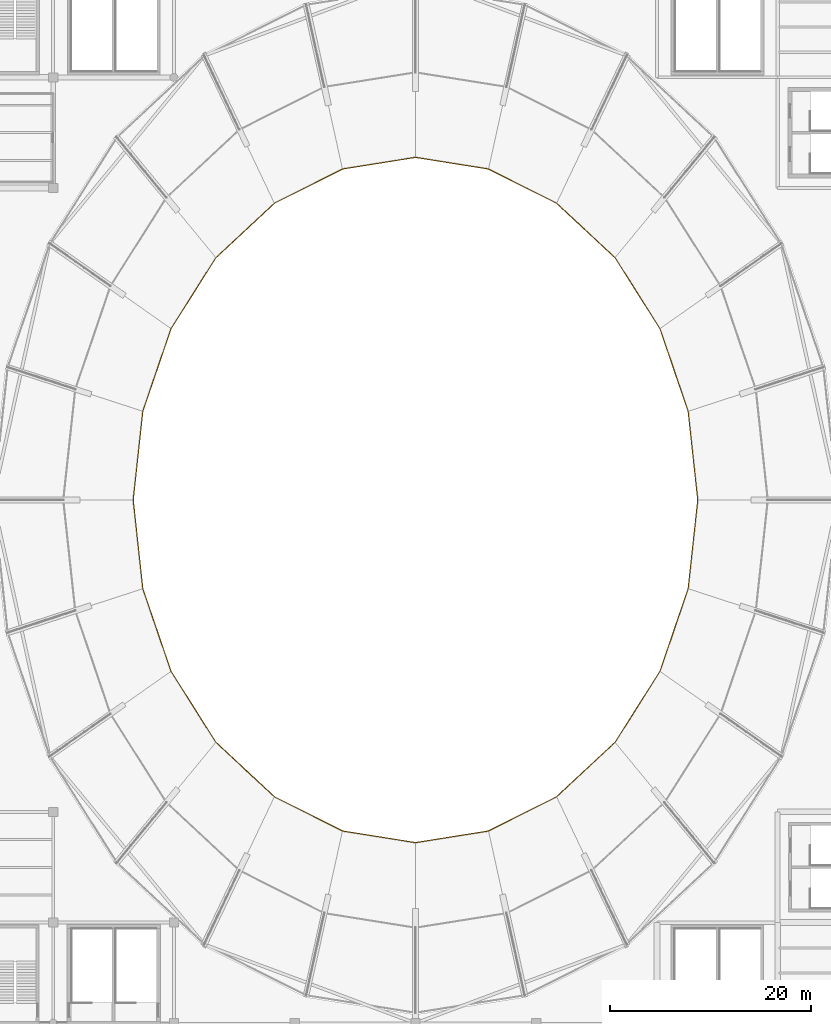
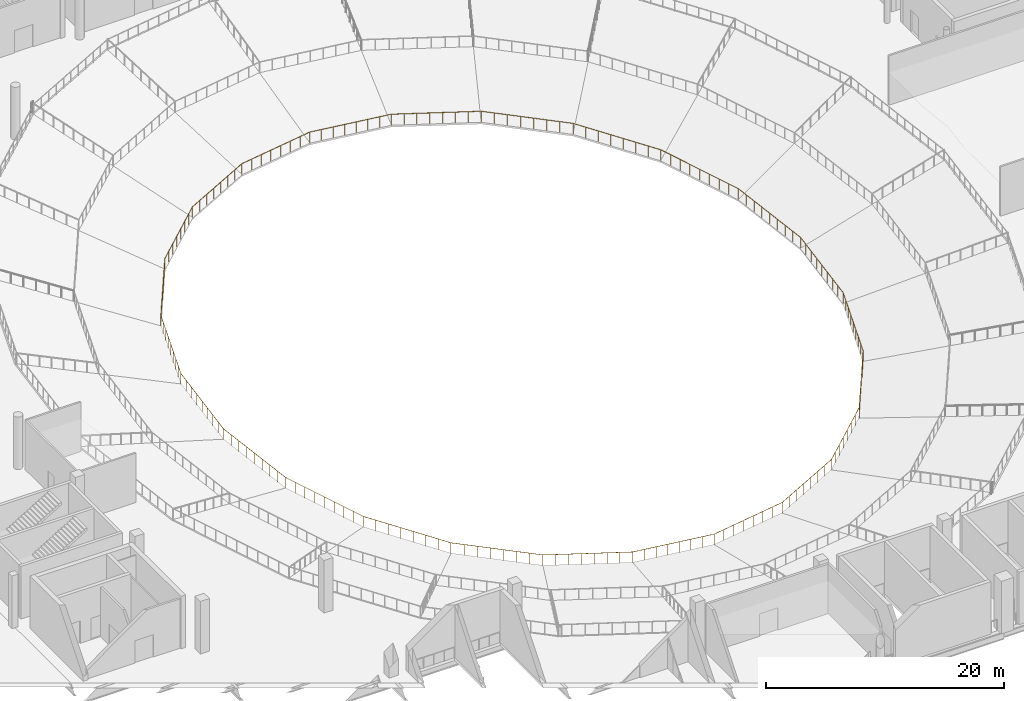
# One storey, part 67 of 74: 1 railing.
"""IFC4 building model written with IfcOpenShell, lengths in metres."""

from ifc_helpers import new_model, si_unit, direction, frame, origin, origin_2d, place, context, subcontext, project, spatial, circle, extrude, material, type_object, element, save


model = new_model("IFC4")

# Units and contexts
model_context = context("Model", 3, precision=1e-05, world=origin(), true_north=direction((0.0, 1.0)))
body_context = subcontext(model_context, "Body", "Model", "MODEL_VIEW")
ifc_project = project(units=[si_unit("LENGTHUNIT", "METRE"), si_unit("AREAUNIT", "SQUARE_METRE"), si_unit("VOLUMEUNIT", "CUBIC_METRE"), si_unit("PLANEANGLEUNIT", "RADIAN"), si_unit("MASSUNIT", "GRAM", prefix="KILO")], contexts=[model_context])

# Site, building, storey
site_placement = place(None, origin())
site = spatial("IfcSite", under=ifc_project, at=site_placement, CompositionType="ELEMENT")
building_placement = place(site_placement, origin())
building = spatial("IfcBuilding", under=site, at=building_placement, Name="Brinegate Civic Arena", CompositionType="ELEMENT")
storey_placement = place(building_placement, frame((0.0, 0.0, 19.199951171875)))
storey = spatial("IfcBuildingStorey", under=building, at=storey_placement, Name="L04", CompositionType="ELEMENT", Elevation=19.199951171875)

# Railing
ifc_material = material(Name="Architectural stainless steel balustrade", Category="steel")
railing_type = type_object("IfcRailingType", Name="RAIL-BOWL-BARRIER-1100", PredefinedType="GUARDRAIL", material=ifc_material)
railing_placement = place(storey_placement, frame((136.050048828125, 62.0, -4.14990234375)))
element("IfcRailing", 1, at=railing_placement, inside=storey, type_object=railing_type, Name="Arena Bowl Sightline Guard UPR-FRONT", PredefinedType="GUARDRAIL", context=body_context, shape_type="SweptSolid", body=[
    extrude(circle(Radius=0.02392578125, at=origin_2d()), frame((-0.000244140625, 0.00146484375, 1.09619140625), z_axis=(-0.107849708906, 0.994167209421, 0.0), x_axis=(-0.994167209421, -0.107849708906, 0.0)), (0.0, 0.0, 1.0), 8.861572265625),
    extrude(circle(Radius=0.02392578125, at=origin_2d()), frame((-0.95654296875, 8.814453125, 1.09619140625), z_axis=(-0.322930575049, 0.946422655952, 0.0), x_axis=(-0.946422655952, -0.322930575049, 0.0)), (0.0, 0.0, 1.0), 8.673828125),
    extrude(circle(Radius=0.02392578125, at=origin_2d()), frame((-3.7587890625, 17.026123046875, 1.09619140625), z_axis=(-0.534345261857, 0.845266313732, 0.0), x_axis=(-0.845266313732, -0.534345261857, 0.0)), (0.0, 0.0, 1.0), 8.33984375),
    extrude(circle(Radius=0.02392578125, at=origin_2d()), frame((-8.217041015625, 24.077880859375, 1.09619140625), z_axis=(-0.731725773, 0.681599144019, 0.0), x_axis=(-0.681599144019, -0.731725773, 0.0)), (0.0, 0.0, 1.0), 7.935791015625),
    extrude(circle(Radius=0.02392578125, at=origin_2d()), frame((-14.0263671875, 29.48876953125, 1.09619140625), z_axis=(-0.893399537902, 0.44926302505, 0.0), x_axis=(-0.44926302505, -0.893399537902, 0.0)), (0.0, 0.0, 1.0), 7.569091796875),
    extrude(circle(Radius=0.02392578125, at=origin_2d()), frame((-20.79150390625, 32.89013671875, 1.09619140625), z_axis=(-0.987471281704, 0.157798820683, 0.0), x_axis=(-0.157798820683, -0.987471281704, 0.0)), (0.0, 0.0, 1.0), 7.34912109375),
    extrude(circle(Radius=0.02392578125, at=origin_2d()), frame((-28.051513671875, 34.0498046875, 1.09619140625), z_axis=(-0.987471281704, -0.157798820683, 0.0), x_axis=(0.157798820683, -0.987471281704, 0.0)), (0.0, 0.0, 1.0), 7.34912109375),
    extrude(circle(Radius=0.02392578125, at=origin_2d()), frame((-35.311279296875, 32.88916015625, 1.09619140625), z_axis=(-0.893399537902, -0.44926302505, 0.0), x_axis=(0.44926302505, -0.893399537902, 0.0)), (0.0, 0.0, 1.0), 7.569091796875),
    extrude(circle(Radius=0.02392578125, at=origin_2d()), frame((-42.075927734375, 29.487060546875, 1.09619140625), z_axis=(-0.731725773, -0.681599144019, 0.0), x_axis=(0.681599144019, -0.731725773, 0.0)), (0.0, 0.0, 1.0), 7.935791015625),
    extrude(circle(Radius=0.02392578125, at=origin_2d()), frame((-47.884765625, 24.07568359375, 1.09619140625), z_axis=(-0.534345261857, -0.845266313732, 0.0), x_axis=(0.845266313732, -0.534345261857, 0.0)), (0.0, 0.0, 1.0), 8.33984375),
    extrude(circle(Radius=0.02392578125, at=origin_2d()), frame((-52.342529296875, 17.0234375, 1.09619140625), z_axis=(-0.322930575049, -0.946422655952, 0.0), x_axis=(0.946422655952, -0.322930575049, 0.0)), (0.0, 0.0, 1.0), 8.673828125),
    extrude(circle(Radius=0.02392578125, at=origin_2d()), frame((-55.144287109375, 8.8115234375, 1.09619140625), z_axis=(-0.107849708906, -0.994167209421, 0.0), x_axis=(0.994167209421, -0.107849708906, 0.0)), (0.0, 0.0, 1.0), 8.861572265625),
    extrude(circle(Radius=0.02392578125, at=origin_2d()), frame((-56.099853515625, -0.00146484375, 1.09619140625), z_axis=(0.107849708906, -0.994167209421, 0.0), x_axis=(0.994167209421, 0.107849708906, 0.0)), (0.0, 0.0, 1.0), 8.861572265625),
    extrude(circle(Radius=0.02392578125, at=origin_2d()), frame((-55.1435546875, -8.814453125, 1.09619140625), z_axis=(0.322930575049, -0.946422655952, 0.0), x_axis=(0.946422655952, 0.322930575049, 0.0)), (0.0, 0.0, 1.0), 8.673828125),
    extrude(circle(Radius=0.02392578125, at=origin_2d()), frame((-52.34130859375, -17.026123046875, 1.09619140625), z_axis=(0.534345261857, -0.845266313732, 0.0), x_axis=(0.845266313732, 0.534345261857, 0.0)), (0.0, 0.0, 1.0), 8.33984375),
    extrude(circle(Radius=0.02392578125, at=origin_2d()), frame((-47.883056640625, -24.077880859375, 1.09619140625), z_axis=(0.731725773, -0.681599144019, 0.0), x_axis=(0.681599144019, 0.731725773, 0.0)), (0.0, 0.0, 1.0), 7.935791015625),
    extrude(circle(Radius=0.02392578125, at=origin_2d()), frame((-42.07373046875, -29.48876953125, 1.09619140625), z_axis=(0.893399537902, -0.44926302505, 0.0), x_axis=(0.44926302505, 0.893399537902, 0.0)), (0.0, 0.0, 1.0), 7.569091796875),
    extrude(circle(Radius=0.02392578125, at=origin_2d()), frame((-35.30859375, -32.89013671875, 1.09619140625), z_axis=(0.987471281704, -0.157798820683, 0.0), x_axis=(0.157798820683, 0.987471281704, 0.0)), (0.0, 0.0, 1.0), 7.34912109375),
    extrude(circle(Radius=0.02392578125, at=origin_2d()), frame((-28.048583984375, -34.0498046875, 1.09619140625), z_axis=(0.987471281704, 0.157798820683, 0.0), x_axis=(-0.157798820683, 0.987471281704, 0.0)), (0.0, 0.0, 1.0), 7.34912109375),
    extrude(circle(Radius=0.02392578125, at=origin_2d()), frame((-20.788818359375, -32.88916015625, 1.09619140625), z_axis=(0.893399537902, 0.44926302505, 0.0), x_axis=(-0.44926302505, 0.893399537902, 0.0)), (0.0, 0.0, 1.0), 7.569091796875),
    extrude(circle(Radius=0.02392578125, at=origin_2d()), frame((-14.024169921875, -29.487060546875, 1.09619140625), z_axis=(0.731725773, 0.681599144019, 0.0), x_axis=(-0.681599144019, 0.731725773, 0.0)), (0.0, 0.0, 1.0), 7.935791015625),
    extrude(circle(Radius=0.02392578125, at=origin_2d()), frame((-8.21533203125, -24.07568359375, 1.09619140625), z_axis=(0.534345261857, 0.845266313732, 0.0), x_axis=(-0.845266313732, 0.534345261857, 0.0)), (0.0, 0.0, 1.0), 8.33984375),
    extrude(circle(Radius=0.02392578125, at=origin_2d()), frame((-3.757568359375, -17.0234375, 1.09619140625), z_axis=(0.322930575049, 0.946422655952, 0.0), x_axis=(-0.946422655952, 0.322930575049, 0.0)), (0.0, 0.0, 1.0), 8.673828125),
    extrude(circle(Radius=0.02392578125, at=origin_2d()), frame((-0.955810546875, -8.8115234375, 1.09619140625), z_axis=(0.107849708906, 0.994167209421, 0.0), x_axis=(-0.994167209421, 0.107849708906, 0.0)), (0.0, 0.0, 1.0), 8.861572265625),
    extrude(circle(Radius=0.02099609375, at=origin_2d()), origin(), (0.0, 0.0, 1.0), 1.070068359375),
    extrude(circle(Radius=0.02099609375, at=origin_2d()), frame((-0.11962890625, 1.1015625, 0.0)), (0.0, 0.0, 1.0), 1.070068359375),
    extrude(circle(Radius=0.02099609375, at=origin_2d()), frame((-0.239013671875, 2.203125, 0.0)), (0.0, 0.0, 1.0), 1.070068359375),
    extrude(circle(Radius=0.02099609375, at=origin_2d()), frame((-0.3583984375, 3.304931640625, 0.0)), (0.0, 0.0, 1.0), 1.070068359375),
    extrude(circle(Radius=0.02099609375, at=origin_2d()), frame((-0.47802734375, 4.406494140625, 0.0)), (0.0, 0.0, 1.0), 1.070068359375),
    extrude(circle(Radius=0.02099609375, at=origin_2d()), frame((-0.59765625, 5.508056640625, 0.0)), (0.0, 0.0, 1.0), 1.070068359375),
    extrude(circle(Radius=0.02099609375, at=origin_2d()), frame((-0.717041015625, 6.60986328125, 0.0)), (0.0, 0.0, 1.0), 1.070068359375),
    extrude(circle(Radius=0.02099609375, at=origin_2d()), frame((-0.83642578125, 7.71142578125, 0.0)), (0.0, 0.0, 1.0), 1.070068359375),
    extrude(circle(Radius=0.02099609375, at=origin_2d()), frame((-0.9560546875, 8.81298828125, 0.0)), (0.0, 0.0, 1.0), 1.070068359375),
    extrude(circle(Radius=0.02099609375, at=origin_2d()), frame((-1.306396484375, 9.83935546875, 0.0)), (0.0, 0.0, 1.0), 1.070068359375),
    extrude(circle(Radius=0.02099609375, at=origin_2d()), frame((-1.656494140625, 10.865966796875, 0.0)), (0.0, 0.0, 1.0), 1.070068359375),
    extrude(circle(Radius=0.02099609375, at=origin_2d()), frame((-2.0068359375, 11.892578125, 0.0)), (0.0, 0.0, 1.0), 1.070068359375),
    extrude(circle(Radius=0.02099609375, at=origin_2d()), frame((-2.35693359375, 12.9189453125, 0.0)), (0.0, 0.0, 1.0), 1.070068359375),
    extrude(circle(Radius=0.02099609375, at=origin_2d()), frame((-2.707275390625, 13.9453125, 0.0)), (0.0, 0.0, 1.0), 1.070068359375),
    extrude(circle(Radius=0.02099609375, at=origin_2d()), frame((-3.0576171875, 14.971923828125, 0.0)), (0.0, 0.0, 1.0), 1.070068359375),
    extrude(circle(Radius=0.02099609375, at=origin_2d()), frame((-3.40771484375, 15.99853515625, 0.0)), (0.0, 0.0, 1.0), 1.070068359375),
    extrude(circle(Radius=0.02099609375, at=origin_2d()), frame((-3.758056640625, 17.02490234375, 0.0)), (0.0, 0.0, 1.0), 1.070068359375),
    extrude(circle(Radius=0.02099609375, at=origin_2d()), frame((-4.39501953125, 18.0322265625, 0.0)), (0.0, 0.0, 1.0), 1.070068359375),
    extrude(circle(Radius=0.02099609375, at=origin_2d()), frame((-5.03173828125, 19.039794921875, 0.0)), (0.0, 0.0, 1.0), 1.070068359375),
    extrude(circle(Radius=0.02099609375, at=origin_2d()), frame((-5.668701171875, 20.047119140625, 0.0)), (0.0, 0.0, 1.0), 1.070068359375),
    extrude(circle(Radius=0.02099609375, at=origin_2d()), frame((-6.305419921875, 21.0546875, 0.0)), (0.0, 0.0, 1.0), 1.070068359375),
    extrude(circle(Radius=0.02099609375, at=origin_2d()), frame((-6.9423828125, 22.06201171875, 0.0)), (0.0, 0.0, 1.0), 1.070068359375),
    extrude(circle(Radius=0.02099609375, at=origin_2d()), frame((-7.5791015625, 23.069580078125, 0.0)), (0.0, 0.0, 1.0), 1.070068359375),
    extrude(circle(Radius=0.02099609375, at=origin_2d()), frame((-8.216064453125, 24.076904296875, 0.0)), (0.0, 0.0, 1.0), 1.070068359375),
    extrude(circle(Radius=0.02099609375, at=origin_2d()), frame((-9.0458984375, 24.849853515625, 0.0)), (0.0, 0.0, 1.0), 1.070068359375),
    extrude(circle(Radius=0.02099609375, at=origin_2d()), frame((-9.875732421875, 25.623046875, 0.0)), (0.0, 0.0, 1.0), 1.070068359375),
    extrude(circle(Radius=0.02099609375, at=origin_2d()), frame((-10.70556640625, 26.39599609375, 0.0)), (0.0, 0.0, 1.0), 1.070068359375),
    extrude(circle(Radius=0.02099609375, at=origin_2d()), frame((-11.53564453125, 27.1689453125, 0.0)), (0.0, 0.0, 1.0), 1.070068359375),
    extrude(circle(Radius=0.02099609375, at=origin_2d()), frame((-12.365478515625, 27.94189453125, 0.0)), (0.0, 0.0, 1.0), 1.070068359375),
    extrude(circle(Radius=0.02099609375, at=origin_2d()), frame((-13.1953125, 28.715087890625, 0.0)), (0.0, 0.0, 1.0), 1.070068359375),
    extrude(circle(Radius=0.02099609375, at=origin_2d()), frame((-14.025146484375, 29.488037109375, 0.0)), (0.0, 0.0, 1.0), 1.070068359375),
    extrude(circle(Radius=0.02099609375, at=origin_2d()), frame((-14.991455078125, 29.97412109375, 0.0)), (0.0, 0.0, 1.0), 1.070068359375),
    extrude(circle(Radius=0.02099609375, at=origin_2d()), frame((-15.9580078125, 30.4599609375, 0.0)), (0.0, 0.0, 1.0), 1.070068359375),
    extrude(circle(Radius=0.02099609375, at=origin_2d()), frame((-16.92431640625, 30.946044921875, 0.0)), (0.0, 0.0, 1.0), 1.070068359375),
    extrude(circle(Radius=0.02099609375, at=origin_2d()), frame((-17.890869140625, 31.431884765625, 0.0)), (0.0, 0.0, 1.0), 1.070068359375),
    extrude(circle(Radius=0.02099609375, at=origin_2d()), frame((-18.857177734375, 31.91796875, 0.0)), (0.0, 0.0, 1.0), 1.070068359375),
    extrude(circle(Radius=0.02099609375, at=origin_2d()), frame((-19.82373046875, 32.40380859375, 0.0)), (0.0, 0.0, 1.0), 1.070068359375),
    extrude(circle(Radius=0.02099609375, at=origin_2d()), frame((-20.7900390625, 32.889892578125, 0.0)), (0.0, 0.0, 1.0), 1.070068359375),
    extrude(circle(Radius=0.02099609375, at=origin_2d()), frame((-21.8271484375, 33.0556640625, 0.0)), (0.0, 0.0, 1.0), 1.070068359375),
    extrude(circle(Radius=0.02099609375, at=origin_2d()), frame((-22.8642578125, 33.221435546875, 0.0)), (0.0, 0.0, 1.0), 1.070068359375),
    extrude(circle(Radius=0.02099609375, at=origin_2d()), frame((-23.9013671875, 33.38720703125, 0.0)), (0.0, 0.0, 1.0), 1.070068359375),
    extrude(circle(Radius=0.02099609375, at=origin_2d()), frame((-24.938720703125, 33.552734375, 0.0)), (0.0, 0.0, 1.0), 1.070068359375),
    extrude(circle(Radius=0.02099609375, at=origin_2d()), frame((-25.975830078125, 33.718505859375, 0.0)), (0.0, 0.0, 1.0), 1.070068359375),
    extrude(circle(Radius=0.02099609375, at=origin_2d()), frame((-27.012939453125, 33.88427734375, 0.0)), (0.0, 0.0, 1.0), 1.070068359375),
    extrude(circle(Radius=0.02099609375, at=origin_2d()), frame((-28.050048828125, 34.050048828125, 0.0)), (0.0, 0.0, 1.0), 1.070068359375),
    extrude(circle(Radius=0.02099609375, at=origin_2d()), frame((-29.087158203125, 33.88427734375, 0.0)), (0.0, 0.0, 1.0), 1.070068359375),
    extrude(circle(Radius=0.02099609375, at=origin_2d()), frame((-30.124267578125, 33.718505859375, 0.0)), (0.0, 0.0, 1.0), 1.070068359375),
    extrude(circle(Radius=0.02099609375, at=origin_2d()), frame((-31.161376953125, 33.552734375, 0.0)), (0.0, 0.0, 1.0), 1.070068359375),
    extrude(circle(Radius=0.02099609375, at=origin_2d()), frame((-32.19873046875, 33.38720703125, 0.0)), (0.0, 0.0, 1.0), 1.070068359375),
    extrude(circle(Radius=0.02099609375, at=origin_2d()), frame((-33.23583984375, 33.221435546875, 0.0)), (0.0, 0.0, 1.0), 1.070068359375),
    extrude(circle(Radius=0.02099609375, at=origin_2d()), frame((-34.27294921875, 33.0556640625, 0.0)), (0.0, 0.0, 1.0), 1.070068359375),
    extrude(circle(Radius=0.02099609375, at=origin_2d()), frame((-35.31005859375, 32.889892578125, 0.0)), (0.0, 0.0, 1.0), 1.070068359375),
    extrude(circle(Radius=0.02099609375, at=origin_2d()), frame((-36.2763671875, 32.40380859375, 0.0)), (0.0, 0.0, 1.0), 1.070068359375),
    extrude(circle(Radius=0.02099609375, at=origin_2d()), frame((-37.242919921875, 31.91796875, 0.0)), (0.0, 0.0, 1.0), 1.070068359375),
    extrude(circle(Radius=0.02099609375, at=origin_2d()), frame((-38.209228515625, 31.431884765625, 0.0)), (0.0, 0.0, 1.0), 1.070068359375),
    extrude(circle(Radius=0.02099609375, at=origin_2d()), frame((-39.17578125, 30.946044921875, 0.0)), (0.0, 0.0, 1.0), 1.070068359375),
    extrude(circle(Radius=0.02099609375, at=origin_2d()), frame((-40.14208984375, 30.4599609375, 0.0)), (0.0, 0.0, 1.0), 1.070068359375),
    extrude(circle(Radius=0.02099609375, at=origin_2d()), frame((-41.108642578125, 29.97412109375, 0.0)), (0.0, 0.0, 1.0), 1.070068359375),
    extrude(circle(Radius=0.02099609375, at=origin_2d()), frame((-42.074951171875, 29.488037109375, 0.0)), (0.0, 0.0, 1.0), 1.070068359375),
    extrude(circle(Radius=0.02099609375, at=origin_2d()), frame((-42.90478515625, 28.715087890625, 0.0)), (0.0, 0.0, 1.0), 1.070068359375),
    extrude(circle(Radius=0.02099609375, at=origin_2d()), frame((-43.734619140625, 27.94189453125, 0.0)), (0.0, 0.0, 1.0), 1.070068359375),
    extrude(circle(Radius=0.02099609375, at=origin_2d()), frame((-44.564453125, 27.1689453125, 0.0)), (0.0, 0.0, 1.0), 1.070068359375),
    extrude(circle(Radius=0.02099609375, at=origin_2d()), frame((-45.39453125, 26.39599609375, 0.0)), (0.0, 0.0, 1.0), 1.070068359375),
    extrude(circle(Radius=0.02099609375, at=origin_2d()), frame((-46.224365234375, 25.623046875, 0.0)), (0.0, 0.0, 1.0), 1.070068359375),
    extrude(circle(Radius=0.02099609375, at=origin_2d()), frame((-47.05419921875, 24.849853515625, 0.0)), (0.0, 0.0, 1.0), 1.070068359375),
    extrude(circle(Radius=0.02099609375, at=origin_2d()), frame((-47.884033203125, 24.076904296875, 0.0)), (0.0, 0.0, 1.0), 1.070068359375),
    extrude(circle(Radius=0.02099609375, at=origin_2d()), frame((-48.52099609375, 23.069580078125, 0.0)), (0.0, 0.0, 1.0), 1.070068359375),
    extrude(circle(Radius=0.02099609375, at=origin_2d()), frame((-49.15771484375, 22.06201171875, 0.0)), (0.0, 0.0, 1.0), 1.070068359375),
    extrude(circle(Radius=0.02099609375, at=origin_2d()), frame((-49.794677734375, 21.0546875, 0.0)), (0.0, 0.0, 1.0), 1.070068359375),
    extrude(circle(Radius=0.02099609375, at=origin_2d()), frame((-50.431396484375, 20.047119140625, 0.0)), (0.0, 0.0, 1.0), 1.070068359375),
    extrude(circle(Radius=0.02099609375, at=origin_2d()), frame((-51.068359375, 19.039794921875, 0.0)), (0.0, 0.0, 1.0), 1.070068359375),
    extrude(circle(Radius=0.02099609375, at=origin_2d()), frame((-51.705078125, 18.0322265625, 0.0)), (0.0, 0.0, 1.0), 1.070068359375),
    extrude(circle(Radius=0.02099609375, at=origin_2d()), frame((-52.342041015625, 17.02490234375, 0.0)), (0.0, 0.0, 1.0), 1.070068359375),
    extrude(circle(Radius=0.02099609375, at=origin_2d()), frame((-52.6923828125, 15.99853515625, 0.0)), (0.0, 0.0, 1.0), 1.070068359375),
    extrude(circle(Radius=0.02099609375, at=origin_2d()), frame((-53.04248046875, 14.971923828125, 0.0)), (0.0, 0.0, 1.0), 1.070068359375),
    extrude(circle(Radius=0.02099609375, at=origin_2d()), frame((-53.392822265625, 13.9453125, 0.0)), (0.0, 0.0, 1.0), 1.070068359375),
    extrude(circle(Radius=0.02099609375, at=origin_2d()), frame((-53.7431640625, 12.9189453125, 0.0)), (0.0, 0.0, 1.0), 1.070068359375),
    extrude(circle(Radius=0.02099609375, at=origin_2d()), frame((-54.09326171875, 11.892578125, 0.0)), (0.0, 0.0, 1.0), 1.070068359375),
    extrude(circle(Radius=0.02099609375, at=origin_2d()), frame((-54.443603515625, 10.865966796875, 0.0)), (0.0, 0.0, 1.0), 1.070068359375),
    extrude(circle(Radius=0.02099609375, at=origin_2d()), frame((-54.793701171875, 9.83935546875, 0.0)), (0.0, 0.0, 1.0), 1.070068359375),
    extrude(circle(Radius=0.02099609375, at=origin_2d()), frame((-55.14404296875, 8.81298828125, 0.0)), (0.0, 0.0, 1.0), 1.070068359375),
    extrude(circle(Radius=0.02099609375, at=origin_2d()), frame((-55.263671875, 7.71142578125, 0.0)), (0.0, 0.0, 1.0), 1.070068359375),
    extrude(circle(Radius=0.02099609375, at=origin_2d()), frame((-55.383056640625, 6.60986328125, 0.0)), (0.0, 0.0, 1.0), 1.070068359375),
    extrude(circle(Radius=0.02099609375, at=origin_2d()), frame((-55.50244140625, 5.508056640625, 0.0)), (0.0, 0.0, 1.0), 1.070068359375),
    extrude(circle(Radius=0.02099609375, at=origin_2d()), frame((-55.6220703125, 4.406494140625, 0.0)), (0.0, 0.0, 1.0), 1.070068359375),
    extrude(circle(Radius=0.02099609375, at=origin_2d()), frame((-55.74169921875, 3.304931640625, 0.0)), (0.0, 0.0, 1.0), 1.070068359375),
    extrude(circle(Radius=0.02099609375, at=origin_2d()), frame((-55.861083984375, 2.203125, 0.0)), (0.0, 0.0, 1.0), 1.070068359375),
    extrude(circle(Radius=0.02099609375, at=origin_2d()), frame((-55.98046875, 1.1015625, 0.0)), (0.0, 0.0, 1.0), 1.070068359375),
    extrude(circle(Radius=0.02099609375, at=origin_2d()), frame((-56.10009765625, 0.0, 0.0)), (0.0, 0.0, 1.0), 1.070068359375),
    extrude(circle(Radius=0.02099609375, at=origin_2d()), frame((-55.98046875, -1.1015625, 0.0)), (0.0, 0.0, 1.0), 1.070068359375),
    extrude(circle(Radius=0.02099609375, at=origin_2d()), frame((-55.861083984375, -2.203125, 0.0)), (0.0, 0.0, 1.0), 1.070068359375),
    extrude(circle(Radius=0.02099609375, at=origin_2d()), frame((-55.74169921875, -3.304931640625, 0.0)), (0.0, 0.0, 1.0), 1.070068359375),
    extrude(circle(Radius=0.02099609375, at=origin_2d()), frame((-55.6220703125, -4.406494140625, 0.0)), (0.0, 0.0, 1.0), 1.070068359375),
    extrude(circle(Radius=0.02099609375, at=origin_2d()), frame((-55.50244140625, -5.508056640625, 0.0)), (0.0, 0.0, 1.0), 1.070068359375),
    extrude(circle(Radius=0.02099609375, at=origin_2d()), frame((-55.383056640625, -6.60986328125, 0.0)), (0.0, 0.0, 1.0), 1.070068359375),
    extrude(circle(Radius=0.02099609375, at=origin_2d()), frame((-55.263671875, -7.71142578125, 0.0)), (0.0, 0.0, 1.0), 1.070068359375),
    extrude(circle(Radius=0.02099609375, at=origin_2d()), frame((-55.14404296875, -8.81298828125, 0.0)), (0.0, 0.0, 1.0), 1.070068359375),
    extrude(circle(Radius=0.02099609375, at=origin_2d()), frame((-54.793701171875, -9.83935546875, 0.0)), (0.0, 0.0, 1.0), 1.070068359375),
    extrude(circle(Radius=0.02099609375, at=origin_2d()), frame((-54.443603515625, -10.865966796875, 0.0)), (0.0, 0.0, 1.0), 1.070068359375),
    extrude(circle(Radius=0.02099609375, at=origin_2d()), frame((-54.09326171875, -11.892578125, 0.0)), (0.0, 0.0, 1.0), 1.070068359375),
    extrude(circle(Radius=0.02099609375, at=origin_2d()), frame((-53.7431640625, -12.9189453125, 0.0)), (0.0, 0.0, 1.0), 1.070068359375),
    extrude(circle(Radius=0.02099609375, at=origin_2d()), frame((-53.392822265625, -13.9453125, 0.0)), (0.0, 0.0, 1.0), 1.070068359375),
    extrude(circle(Radius=0.02099609375, at=origin_2d()), frame((-53.04248046875, -14.971923828125, 0.0)), (0.0, 0.0, 1.0), 1.070068359375),
    extrude(circle(Radius=0.02099609375, at=origin_2d()), frame((-52.6923828125, -15.99853515625, 0.0)), (0.0, 0.0, 1.0), 1.070068359375),
    extrude(circle(Radius=0.02099609375, at=origin_2d()), frame((-52.342041015625, -17.02490234375, 0.0)), (0.0, 0.0, 1.0), 1.070068359375),
    extrude(circle(Radius=0.02099609375, at=origin_2d()), frame((-51.705078125, -18.0322265625, 0.0)), (0.0, 0.0, 1.0), 1.070068359375),
    extrude(circle(Radius=0.02099609375, at=origin_2d()), frame((-51.068359375, -19.039794921875, 0.0)), (0.0, 0.0, 1.0), 1.070068359375),
    extrude(circle(Radius=0.02099609375, at=origin_2d()), frame((-50.431396484375, -20.047119140625, 0.0)), (0.0, 0.0, 1.0), 1.070068359375),
    extrude(circle(Radius=0.02099609375, at=origin_2d()), frame((-49.794677734375, -21.0546875, 0.0)), (0.0, 0.0, 1.0), 1.070068359375),
    extrude(circle(Radius=0.02099609375, at=origin_2d()), frame((-49.15771484375, -22.06201171875, 0.0)), (0.0, 0.0, 1.0), 1.070068359375),
    extrude(circle(Radius=0.02099609375, at=origin_2d()), frame((-48.52099609375, -23.069580078125, 0.0)), (0.0, 0.0, 1.0), 1.070068359375),
    extrude(circle(Radius=0.02099609375, at=origin_2d()), frame((-47.884033203125, -24.076904296875, 0.0)), (0.0, 0.0, 1.0), 1.070068359375),
    extrude(circle(Radius=0.02099609375, at=origin_2d()), frame((-47.05419921875, -24.849853515625, 0.0)), (0.0, 0.0, 1.0), 1.070068359375),
    extrude(circle(Radius=0.02099609375, at=origin_2d()), frame((-46.224365234375, -25.623046875, 0.0)), (0.0, 0.0, 1.0), 1.070068359375),
    extrude(circle(Radius=0.02099609375, at=origin_2d()), frame((-45.39453125, -26.39599609375, 0.0)), (0.0, 0.0, 1.0), 1.070068359375),
    extrude(circle(Radius=0.02099609375, at=origin_2d()), frame((-44.564453125, -27.1689453125, 0.0)), (0.0, 0.0, 1.0), 1.070068359375),
    extrude(circle(Radius=0.02099609375, at=origin_2d()), frame((-43.734619140625, -27.94189453125, 0.0)), (0.0, 0.0, 1.0), 1.070068359375),
    extrude(circle(Radius=0.02099609375, at=origin_2d()), frame((-42.90478515625, -28.715087890625, 0.0)), (0.0, 0.0, 1.0), 1.070068359375),
    extrude(circle(Radius=0.02099609375, at=origin_2d()), frame((-42.074951171875, -29.488037109375, 0.0)), (0.0, 0.0, 1.0), 1.070068359375),
    extrude(circle(Radius=0.02099609375, at=origin_2d()), frame((-41.108642578125, -29.97412109375, 0.0)), (0.0, 0.0, 1.0), 1.070068359375),
    extrude(circle(Radius=0.02099609375, at=origin_2d()), frame((-40.14208984375, -30.4599609375, 0.0)), (0.0, 0.0, 1.0), 1.070068359375),
    extrude(circle(Radius=0.02099609375, at=origin_2d()), frame((-39.17578125, -30.946044921875, 0.0)), (0.0, 0.0, 1.0), 1.070068359375),
    extrude(circle(Radius=0.02099609375, at=origin_2d()), frame((-38.209228515625, -31.431884765625, 0.0)), (0.0, 0.0, 1.0), 1.070068359375),
    extrude(circle(Radius=0.02099609375, at=origin_2d()), frame((-37.242919921875, -31.91796875, 0.0)), (0.0, 0.0, 1.0), 1.070068359375),
    extrude(circle(Radius=0.02099609375, at=origin_2d()), frame((-36.2763671875, -32.40380859375, 0.0)), (0.0, 0.0, 1.0), 1.070068359375),
    extrude(circle(Radius=0.02099609375, at=origin_2d()), frame((-35.31005859375, -32.889892578125, 0.0)), (0.0, 0.0, 1.0), 1.070068359375),
    extrude(circle(Radius=0.02099609375, at=origin_2d()), frame((-34.27294921875, -33.0556640625, 0.0)), (0.0, 0.0, 1.0), 1.070068359375),
    extrude(circle(Radius=0.02099609375, at=origin_2d()), frame((-33.23583984375, -33.221435546875, 0.0)), (0.0, 0.0, 1.0), 1.070068359375),
    extrude(circle(Radius=0.02099609375, at=origin_2d()), frame((-32.19873046875, -33.38720703125, 0.0)), (0.0, 0.0, 1.0), 1.070068359375),
    extrude(circle(Radius=0.02099609375, at=origin_2d()), frame((-31.161376953125, -33.552734375, 0.0)), (0.0, 0.0, 1.0), 1.070068359375),
    extrude(circle(Radius=0.02099609375, at=origin_2d()), frame((-30.124267578125, -33.718505859375, 0.0)), (0.0, 0.0, 1.0), 1.070068359375),
    extrude(circle(Radius=0.02099609375, at=origin_2d()), frame((-29.087158203125, -33.88427734375, 0.0)), (0.0, 0.0, 1.0), 1.070068359375),
    extrude(circle(Radius=0.02099609375, at=origin_2d()), frame((-28.050048828125, -34.050048828125, 0.0)), (0.0, 0.0, 1.0), 1.070068359375),
    extrude(circle(Radius=0.02099609375, at=origin_2d()), frame((-27.012939453125, -33.88427734375, 0.0)), (0.0, 0.0, 1.0), 1.070068359375),
    extrude(circle(Radius=0.02099609375, at=origin_2d()), frame((-25.975830078125, -33.718505859375, 0.0)), (0.0, 0.0, 1.0), 1.070068359375),
    extrude(circle(Radius=0.02099609375, at=origin_2d()), frame((-24.938720703125, -33.552734375, 0.0)), (0.0, 0.0, 1.0), 1.070068359375),
    extrude(circle(Radius=0.02099609375, at=origin_2d()), frame((-23.9013671875, -33.38720703125, 0.0)), (0.0, 0.0, 1.0), 1.070068359375),
    extrude(circle(Radius=0.02099609375, at=origin_2d()), frame((-22.8642578125, -33.221435546875, 0.0)), (0.0, 0.0, 1.0), 1.070068359375),
    extrude(circle(Radius=0.02099609375, at=origin_2d()), frame((-21.8271484375, -33.0556640625, 0.0)), (0.0, 0.0, 1.0), 1.070068359375),
    extrude(circle(Radius=0.02099609375, at=origin_2d()), frame((-20.7900390625, -32.889892578125, 0.0)), (0.0, 0.0, 1.0), 1.070068359375),
    extrude(circle(Radius=0.02099609375, at=origin_2d()), frame((-19.82373046875, -32.40380859375, 0.0)), (0.0, 0.0, 1.0), 1.070068359375),
    extrude(circle(Radius=0.02099609375, at=origin_2d()), frame((-18.857177734375, -31.91796875, 0.0)), (0.0, 0.0, 1.0), 1.070068359375),
    extrude(circle(Radius=0.02099609375, at=origin_2d()), frame((-17.890869140625, -31.431884765625, 0.0)), (0.0, 0.0, 1.0), 1.070068359375),
    extrude(circle(Radius=0.02099609375, at=origin_2d()), frame((-16.92431640625, -30.946044921875, 0.0)), (0.0, 0.0, 1.0), 1.070068359375),
    extrude(circle(Radius=0.02099609375, at=origin_2d()), frame((-15.9580078125, -30.4599609375, 0.0)), (0.0, 0.0, 1.0), 1.070068359375),
    extrude(circle(Radius=0.02099609375, at=origin_2d()), frame((-14.991455078125, -29.97412109375, 0.0)), (0.0, 0.0, 1.0), 1.070068359375),
    extrude(circle(Radius=0.02099609375, at=origin_2d()), frame((-14.025146484375, -29.488037109375, 0.0)), (0.0, 0.0, 1.0), 1.070068359375),
    extrude(circle(Radius=0.02099609375, at=origin_2d()), frame((-13.1953125, -28.715087890625, 0.0)), (0.0, 0.0, 1.0), 1.070068359375),
    extrude(circle(Radius=0.02099609375, at=origin_2d()), frame((-12.365478515625, -27.94189453125, 0.0)), (0.0, 0.0, 1.0), 1.070068359375),
    extrude(circle(Radius=0.02099609375, at=origin_2d()), frame((-11.53564453125, -27.1689453125, 0.0)), (0.0, 0.0, 1.0), 1.070068359375),
    extrude(circle(Radius=0.02099609375, at=origin_2d()), frame((-10.70556640625, -26.39599609375, 0.0)), (0.0, 0.0, 1.0), 1.070068359375),
    extrude(circle(Radius=0.02099609375, at=origin_2d()), frame((-9.875732421875, -25.623046875, 0.0)), (0.0, 0.0, 1.0), 1.070068359375),
    extrude(circle(Radius=0.02099609375, at=origin_2d()), frame((-9.0458984375, -24.849853515625, 0.0)), (0.0, 0.0, 1.0), 1.070068359375),
    extrude(circle(Radius=0.02099609375, at=origin_2d()), frame((-8.216064453125, -24.076904296875, 0.0)), (0.0, 0.0, 1.0), 1.070068359375),
    extrude(circle(Radius=0.02099609375, at=origin_2d()), frame((-7.5791015625, -23.069580078125, 0.0)), (0.0, 0.0, 1.0), 1.070068359375),
    extrude(circle(Radius=0.02099609375, at=origin_2d()), frame((-6.9423828125, -22.06201171875, 0.0)), (0.0, 0.0, 1.0), 1.070068359375),
    extrude(circle(Radius=0.02099609375, at=origin_2d()), frame((-6.305419921875, -21.0546875, 0.0)), (0.0, 0.0, 1.0), 1.070068359375),
    extrude(circle(Radius=0.02099609375, at=origin_2d()), frame((-5.668701171875, -20.047119140625, 0.0)), (0.0, 0.0, 1.0), 1.070068359375),
    extrude(circle(Radius=0.02099609375, at=origin_2d()), frame((-5.03173828125, -19.039794921875, 0.0)), (0.0, 0.0, 1.0), 1.070068359375),
    extrude(circle(Radius=0.02099609375, at=origin_2d()), frame((-4.39501953125, -18.0322265625, 0.0)), (0.0, 0.0, 1.0), 1.070068359375),
    extrude(circle(Radius=0.02099609375, at=origin_2d()), frame((-3.758056640625, -17.02490234375, 0.0)), (0.0, 0.0, 1.0), 1.070068359375),
    extrude(circle(Radius=0.02099609375, at=origin_2d()), frame((-3.40771484375, -15.99853515625, 0.0)), (0.0, 0.0, 1.0), 1.070068359375),
    extrude(circle(Radius=0.02099609375, at=origin_2d()), frame((-3.0576171875, -14.971923828125, 0.0)), (0.0, 0.0, 1.0), 1.070068359375),
    extrude(circle(Radius=0.02099609375, at=origin_2d()), frame((-2.707275390625, -13.9453125, 0.0)), (0.0, 0.0, 1.0), 1.070068359375),
    extrude(circle(Radius=0.02099609375, at=origin_2d()), frame((-2.35693359375, -12.9189453125, 0.0)), (0.0, 0.0, 1.0), 1.070068359375),
    extrude(circle(Radius=0.02099609375, at=origin_2d()), frame((-2.0068359375, -11.892578125, 0.0)), (0.0, 0.0, 1.0), 1.070068359375),
    extrude(circle(Radius=0.02099609375, at=origin_2d()), frame((-1.656494140625, -10.865966796875, 0.0)), (0.0, 0.0, 1.0), 1.070068359375),
    extrude(circle(Radius=0.02099609375, at=origin_2d()), frame((-1.306396484375, -9.83935546875, 0.0)), (0.0, 0.0, 1.0), 1.070068359375),
    extrude(circle(Radius=0.02099609375, at=origin_2d()), frame((-0.9560546875, -8.81298828125, 0.0)), (0.0, 0.0, 1.0), 1.070068359375),
    extrude(circle(Radius=0.02099609375, at=origin_2d()), frame((-0.83642578125, -7.71142578125, 0.0)), (0.0, 0.0, 1.0), 1.070068359375),
    extrude(circle(Radius=0.02099609375, at=origin_2d()), frame((-0.717041015625, -6.60986328125, 0.0)), (0.0, 0.0, 1.0), 1.070068359375),
    extrude(circle(Radius=0.02099609375, at=origin_2d()), frame((-0.59765625, -5.508056640625, 0.0)), (0.0, 0.0, 1.0), 1.070068359375),
    extrude(circle(Radius=0.02099609375, at=origin_2d()), frame((-0.47802734375, -4.406494140625, 0.0)), (0.0, 0.0, 1.0), 1.070068359375),
    extrude(circle(Radius=0.02099609375, at=origin_2d()), frame((-0.3583984375, -3.304931640625, 0.0)), (0.0, 0.0, 1.0), 1.070068359375),
    extrude(circle(Radius=0.02099609375, at=origin_2d()), frame((-0.239013671875, -2.203125, 0.0)), (0.0, 0.0, 1.0), 1.070068359375),
    extrude(circle(Radius=0.02099609375, at=origin_2d()), frame((-0.11962890625, -1.1015625, 0.0)), (0.0, 0.0, 1.0), 1.070068359375),
])

save(model, "model.ifc")
